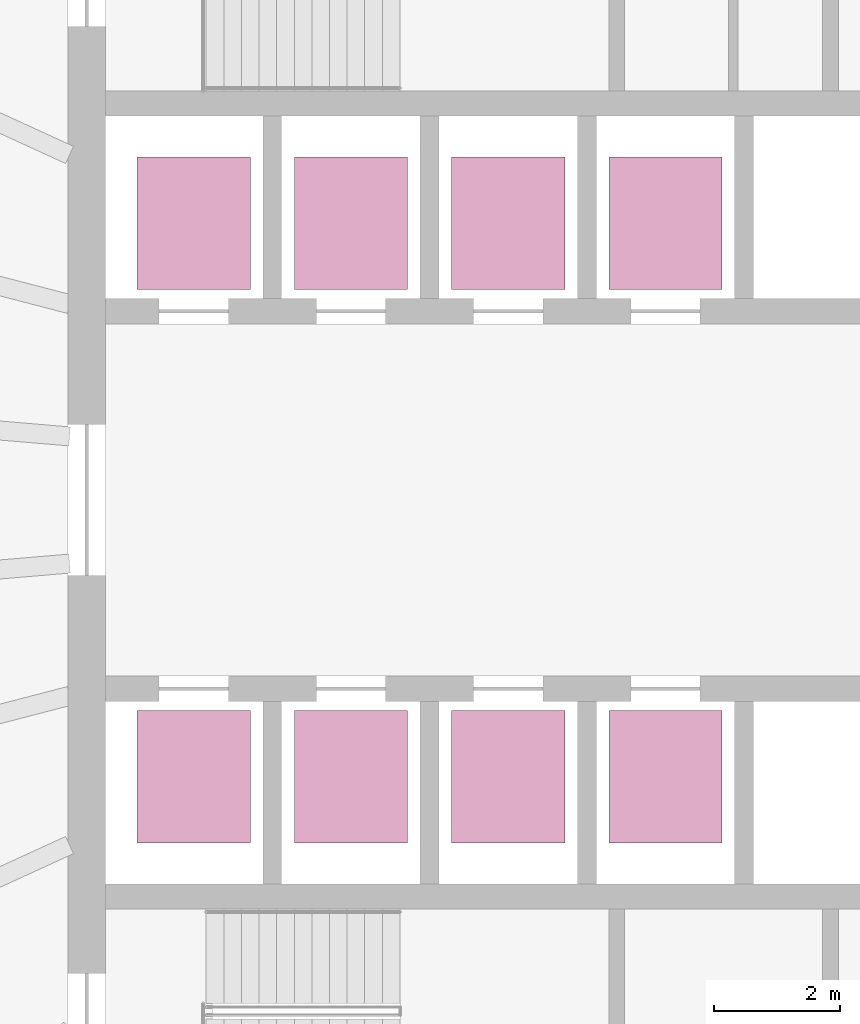
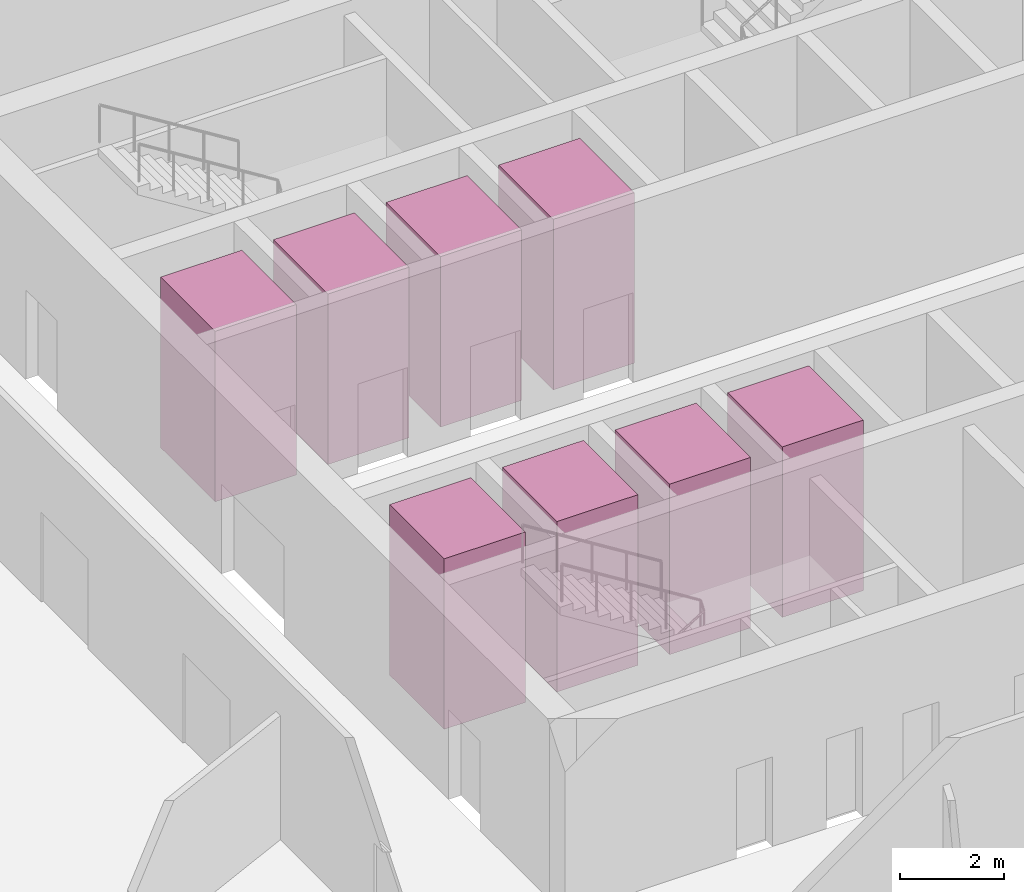
# One storey, part 11 of 11: 8 transport elements.
"""IFC4 building model written with IfcOpenShell, lengths in metres."""

from ifc_helpers import new_model, si_unit, direction, frame, origin, origin_2d, place, context, subcontext, project, spatial, rectangle, extrude, material, type_object, element, save


model = new_model("IFC4")

# Units and contexts
model_context = context("Model", 3, precision=1e-05, world=origin(), true_north=direction((0.0, 1.0)))
body_context = subcontext(model_context, "Body", "Model", "MODEL_VIEW")
ifc_project = project(units=[si_unit("LENGTHUNIT", "METRE"), si_unit("AREAUNIT", "SQUARE_METRE"), si_unit("VOLUMEUNIT", "CUBIC_METRE"), si_unit("PLANEANGLEUNIT", "RADIAN"), si_unit("MASSUNIT", "GRAM", prefix="KILO")], contexts=[model_context])

# Site, building, storey
site_placement = place(None, origin())
site = spatial("IfcSite", under=ifc_project, at=site_placement, CompositionType="ELEMENT")
building_placement = place(site_placement, origin())
building = spatial("IfcBuilding", under=site, at=building_placement, Name="Halqa Exchange Tower", CompositionType="ELEMENT")
storey_placement = place(building_placement, frame((0.0, 0.0, 40.300048828125)))
storey = spatial("IfcBuildingStorey", under=building, at=storey_placement, Name="L08", CompositionType="ELEMENT", Elevation=40.300048828125)

# Transport elements
ifc_material = material(Name="Stainless steel", Category="steel")
transport_element_type = type_object("IfcTransportElementType", Name="Low-rise passenger lift 1800 x 2100", PredefinedType="ELEVATOR", material=ifc_material)
for number, where, z_axis, x_axis, name in (
    (1, (-10.0, 4.39990234375, 0.0), (0.0, 0.0, 1.0), (1.0, 0.0, 0.0), "Low-rise passenger lift LR1"),
    (2, (-7.5, 4.39990234375, 0.0), (0.0, 0.0, 1.0), (1.0, 0.0, 0.0), "Low-rise passenger lift LR2"),
    (3, (-5.0, 4.39990234375, 0.0), (0.0, 0.0, 1.0), (1.0, 0.0, 0.0), "Low-rise passenger lift LR3"),
    (4, (-2.5, 4.39990234375, 0.0), (0.0, 0.0, 1.0), (1.0, 0.0, 0.0), "Low-rise passenger lift LR4"),
    (5, (-10.0, -4.39990234375, 0.0), (0.0, 0.0, 1.0), (1.0, 0.0, 0.0), "Low-rise passenger lift LR5"),
    (6, (-7.5, -4.39990234375, 0.0), (0.0, 0.0, 1.0), (1.0, 0.0, 0.0), "Low-rise passenger lift LR6"),
    (7, (-5.0, -4.39990234375, 0.0), (0.0, 0.0, 1.0), (1.0, 0.0, 0.0), "Low-rise passenger lift LR7"),
    (8, (-2.5, -4.39990234375, 0.0), (0.0, 0.0, 1.0), (1.0, 0.0, 0.0), "Low-rise passenger lift LR8"),
):
    element("IfcTransportElement", number, at=place(storey_placement, frame(where, z_axis=z_axis, x_axis=x_axis)), inside=storey, type_object=transport_element_type, Name=name, PredefinedType="ELEVATOR", context=body_context, shape_type="SweptSolid", body=[
        extrude(rectangle(XDim=1.800048828125, YDim=2.10009765625, at=origin_2d()), origin(), (0.0, 0.0, 1.0), 4.0),
    ])

save(model, "model.ifc")
